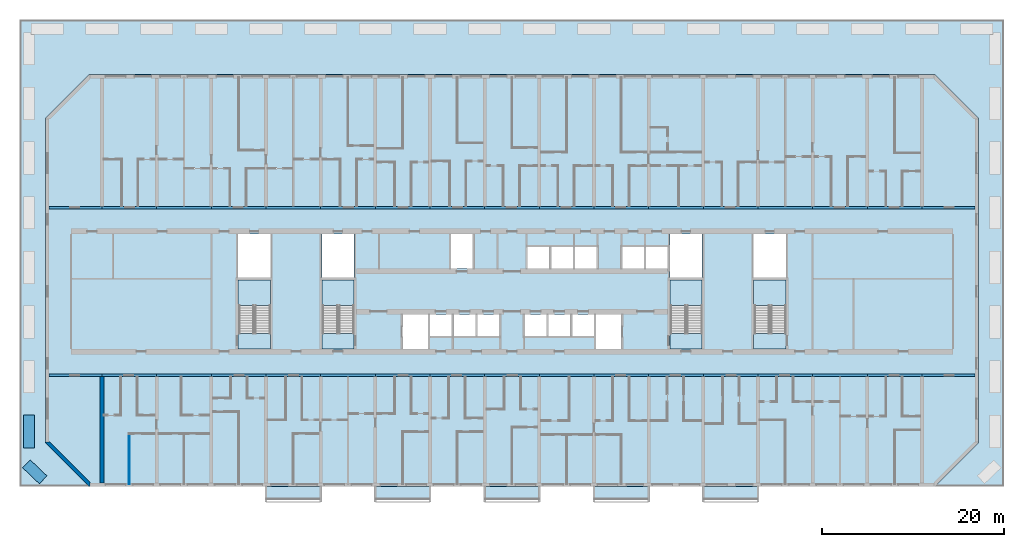
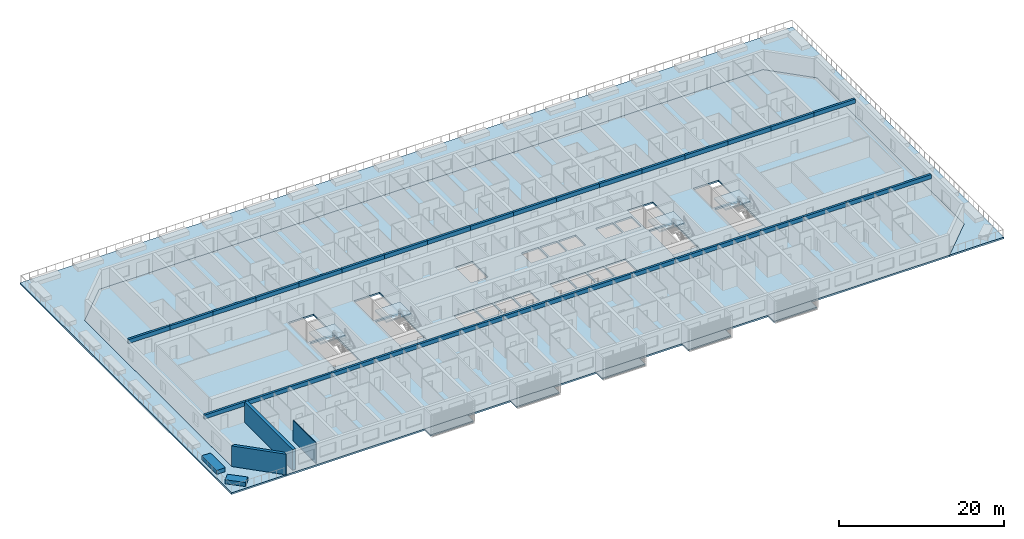
# One storey, part 1 of 23: 34 beams, 15 slabs, 5 walls, 4 elements without a shape of their own.
"""IFC4 building model written with IfcOpenShell, lengths in metres."""

from ifc_helpers import new_model, si_unit, direction, frame, frame_2d, origin, origin_2d, place, context, subcontext, project, spatial, polyline, rectangle, outline, extrude, source, transform, mapped, material, layer, layer_set, material_profile, profile_set, type_object, element, aggregate, save


model = new_model("IFC4")

# Units and contexts
model_context = context("Model", 3, precision=1e-05, world=origin(), true_north=direction((0.0, 1.0)))
body_context = subcontext(model_context, "Body", "Model", "MODEL_VIEW")
ifc_project = project(units=[si_unit("LENGTHUNIT", "METRE"), si_unit("AREAUNIT", "SQUARE_METRE"), si_unit("VOLUMEUNIT", "CUBIC_METRE"), si_unit("PLANEANGLEUNIT", "RADIAN"), si_unit("MASSUNIT", "GRAM", prefix="KILO")], contexts=[model_context])

# Site, building, storey
site_placement = place(None, origin())
site = spatial("IfcSite", under=ifc_project, at=site_placement, CompositionType="ELEMENT")
building_placement = place(site_placement, origin())
building = spatial("IfcBuilding", under=site, at=building_placement, Name="Poui Terraces", CompositionType="ELEMENT")
storey_placement = place(building_placement, frame((0.0, 0.0, 23.39990234375)))
storey = spatial("IfcBuildingStorey", under=building, at=storey_placement, Name="L05", CompositionType="ELEMENT", Elevation=23.39990234375)

# Beams
ifc_material_1 = material(Name="Concrete 80 MPa", Category="concrete")
ifc_material_profile = material_profile(ifc_material_1, rectangle(XDim=0.300048828125, YDim=0.60009765625, at=origin_2d()), Name="RC 300x600")
ifc_profile_set = profile_set([ifc_material_profile], Name="Concrete 80 MPa")
beam_type = type_object("IfcBeamType", Name="COUPLING BEAM 300x600 80MPa", PredefinedType="BEAM", material=ifc_profile_set)
shared_shape_1 = source(origin(), body_context, "Body", "SweptSolid", [
    extrude(rectangle(XDim=0.300048828125, YDim=0.60009765625, at=origin_2d()), origin(), (0.0, 0.0, 1.0), 6.0),
])
for number, where, z_axis, x_axis, name in (
    (1, (6.0, 12.0, 2.75), (1.0, 0.0, 0.0), (0.0, 1.0, 0.0), "COUPLING BEAM LINE B BAY 2"),
    (2, (12.0, 12.0, 2.75), (1.0, 0.0, 0.0), (0.0, 1.0, 0.0), "COUPLING BEAM LINE B BAY 3"),
    (3, (18.0, 12.0, 2.75), (1.0, 0.0, 0.0), (0.0, 1.0, 0.0), "COUPLING BEAM LINE B BAY 4"),
    (4, (24.0, 12.0, 2.75), (1.0, 0.0, 0.0), (0.0, 1.0, 0.0), "COUPLING BEAM LINE B BAY 5"),
    (5, (30.0, 12.0, 2.75), (1.0, 0.0, 0.0), (0.0, 1.0, 0.0), "COUPLING BEAM LINE B BAY 6"),
    (6, (36.0, 12.0, 2.75), (1.0, 0.0, 0.0), (0.0, 1.0, 0.0), "COUPLING BEAM LINE B BAY 7"),
    (7, (42.0, 12.0, 2.75), (1.0, 0.0, 0.0), (0.0, 1.0, 0.0), "COUPLING BEAM LINE B BAY 8"),
    (8, (48.0, 12.0, 2.75), (1.0, 0.0, 0.0), (0.0, 1.0, 0.0), "COUPLING BEAM LINE B BAY 9"),
    (9, (54.0, 12.0, 2.75), (1.0, 0.0, 0.0), (0.0, 1.0, 0.0), "COUPLING BEAM LINE B BAY 10"),
    (10, (60.0, 12.0, 2.75), (1.0, 0.0, 0.0), (0.0, 1.0, 0.0), "COUPLING BEAM LINE B BAY 11"),
    (11, (66.0, 12.0, 2.75), (1.0, 0.0, 0.0), (0.0, 1.0, 0.0), "COUPLING BEAM LINE B BAY 12"),
    (12, (72.0, 12.0, 2.75), (1.0, 0.0, 0.0), (0.0, 1.0, 0.0), "COUPLING BEAM LINE B BAY 13"),
    (13, (78.0, 12.0, 2.75), (1.0, 0.0, 0.0), (0.0, 1.0, 0.0), "COUPLING BEAM LINE B BAY 14"),
    (14, (84.0, 12.0, 2.75), (1.0, 0.0, 0.0), (0.0, 1.0, 0.0), "COUPLING BEAM LINE B BAY 15"),
    (15, (90.0, 12.0, 2.75), (1.0, 0.0, 0.0), (0.0, 1.0, 0.0), "COUPLING BEAM LINE B BAY 16"),
    (16, (6.0, 30.39990234375, 2.75), (1.0, 0.0, 0.0), (0.0, 1.0, 0.0), "COUPLING BEAM LINE E BAY 2"),
    (17, (12.0, 30.39990234375, 2.75), (1.0, 0.0, 0.0), (0.0, 1.0, 0.0), "COUPLING BEAM LINE E BAY 3"),
    (18, (18.0, 30.39990234375, 2.75), (1.0, 0.0, 0.0), (0.0, 1.0, 0.0), "COUPLING BEAM LINE E BAY 4"),
    (19, (24.0, 30.39990234375, 2.75), (1.0, 0.0, 0.0), (0.0, 1.0, 0.0), "COUPLING BEAM LINE E BAY 5"),
    (20, (30.0, 30.39990234375, 2.75), (1.0, 0.0, 0.0), (0.0, 1.0, 0.0), "COUPLING BEAM LINE E BAY 6"),
    (21, (36.0, 30.39990234375, 2.75), (1.0, 0.0, 0.0), (0.0, 1.0, 0.0), "COUPLING BEAM LINE E BAY 7"),
    (22, (42.0, 30.39990234375, 2.75), (1.0, 0.0, 0.0), (0.0, 1.0, 0.0), "COUPLING BEAM LINE E BAY 8"),
    (23, (48.0, 30.39990234375, 2.75), (1.0, 0.0, 0.0), (0.0, 1.0, 0.0), "COUPLING BEAM LINE E BAY 9"),
    (24, (54.0, 30.39990234375, 2.75), (1.0, 0.0, 0.0), (0.0, 1.0, 0.0), "COUPLING BEAM LINE E BAY 10"),
    (25, (60.0, 30.39990234375, 2.75), (1.0, 0.0, 0.0), (0.0, 1.0, 0.0), "COUPLING BEAM LINE E BAY 11"),
    (26, (66.0, 30.39990234375, 2.75), (1.0, 0.0, 0.0), (0.0, 1.0, 0.0), "COUPLING BEAM LINE E BAY 12"),
    (27, (72.0, 30.39990234375, 2.75), (1.0, 0.0, 0.0), (0.0, 1.0, 0.0), "COUPLING BEAM LINE E BAY 13"),
    (28, (78.0, 30.39990234375, 2.75), (1.0, 0.0, 0.0), (0.0, 1.0, 0.0), "COUPLING BEAM LINE E BAY 14"),
    (29, (84.0, 30.39990234375, 2.75), (1.0, 0.0, 0.0), (0.0, 1.0, 0.0), "COUPLING BEAM LINE E BAY 15"),
    (30, (90.0, 30.39990234375, 2.75), (1.0, 0.0, 0.0), (0.0, 1.0, 0.0), "COUPLING BEAM LINE E BAY 16"),
):
    element("IfcBeam", number, at=place(storey_placement, frame(where, z_axis=z_axis, x_axis=x_axis)), inside=storey, type_object=beam_type, Name=name, PredefinedType="BEAM", context=body_context, shape_type="MappedRepresentation", body=[
        mapped(shared_shape_1, transform((0.0, 0.0, 0.0))),
    ])
shared_shape_2 = source(origin(), body_context, "Body", "SweptSolid", [
    extrude(rectangle(XDim=0.300048828125, YDim=0.60009765625, at=origin_2d()), origin(), (0.0, 0.0, 1.0), 5.800048828125),
])
for number, where, z_axis, x_axis, name in (
    (31, (0.199951171875, 12.0, 2.75), (1.0, 0.0, 0.0), (0.0, 1.0, 0.0), "COUPLING BEAM LINE B BAY 1"),
    (32, (96.0, 12.0, 2.75), (1.0, 0.0, 0.0), (0.0, 1.0, 0.0), "COUPLING BEAM LINE B BAY 17"),
    (33, (0.199951171875, 30.39990234375, 2.75), (1.0, 0.0, 0.0), (0.0, 1.0, 0.0), "COUPLING BEAM LINE E BAY 1"),
    (34, (96.0, 30.39990234375, 2.75), (1.0, 0.0, 0.0), (0.0, 1.0, 0.0), "COUPLING BEAM LINE E BAY 17"),
):
    element("IfcBeam", number, at=place(storey_placement, frame(where, z_axis=z_axis, x_axis=x_axis)), inside=storey, type_object=beam_type, Name=name, PredefinedType="BEAM", context=body_context, shape_type="MappedRepresentation", body=[
        mapped(shared_shape_2, transform((0.0, 0.0, 0.0))),
    ])

# Stair, slabs
stair_type = type_object("IfcStairType", Name="EXIT STAIR 1650 80 MPA", PredefinedType="HALF_TURN_STAIR", material=ifc_material_1)
stair_1_placement = place(storey_placement, origin())
stair_1 = element("IfcStair", 35, at=stair_1_placement, inside=storey, type_object=stair_type, Name="L05 CORE STAIR EAST", PredefinedType="HALF_TURN_STAIR")
ifc_layer_1 = layer(ifc_material_1, 0.199951171875)
ifc_layer_set_1 = layer_set([ifc_layer_1], Name="Concrete 80 MPa")
slab_type_1 = type_object("IfcSlabType", Name="STAIR LANDING 200 80 MPA", PredefinedType="LANDING", material=ifc_layer_set_1)
slab_1_placement = place(storey_placement, frame((0.0, 0.0, 1.449951171875)))
slab_1 = element("IfcSlab", 36, at=slab_1_placement, type_object=slab_type_1, Name="ST-CE landing 1", PredefinedType="LANDING", context=body_context, shape_type="SweptSolid", body=[
    extrude(outline(polyline([(68.324951171875, 19.679931640625), (71.875, 19.679931640625), (71.875, 22.47509765625), (68.324951171875, 22.47509765625), (68.324951171875, 19.679931640625)])), origin(), (0.0, 0.0, 1.0), 0.2001953125),
])
slab_2_placement = place(storey_placement, frame((0.0, 0.0, -0.199951171875)))
slab_2 = element("IfcSlab", 37, at=slab_2_placement, type_object=slab_type_1, Name="ST-CE landing 2", PredefinedType="LANDING", context=body_context, shape_type="SweptSolid", body=[
    extrude(outline(polyline([(68.324951171875, 14.89990234375), (71.875, 14.89990234375), (71.875, 16.60009765625), (68.324951171875, 16.60009765625), (68.324951171875, 14.89990234375)])), origin(), (0.0, 0.0, 1.0), 0.199951171875),
])
aggregate(stair_1, [slab_1, slab_2])

stair_2_placement = place(storey_placement, origin())
stair_2 = element("IfcStair", 38, at=stair_2_placement, inside=storey, type_object=stair_type, Name="L05 CORE STAIR WEST", PredefinedType="HALF_TURN_STAIR")
slab_3_placement = place(storey_placement, frame((0.0, 0.0, 1.449951171875)))
slab_3 = element("IfcSlab", 39, at=slab_3_placement, type_object=slab_type_1, Name="ST-CW landing 1", PredefinedType="LANDING", context=body_context, shape_type="SweptSolid", body=[
    extrude(outline(polyline([(30.125, 19.679931640625), (33.675048828125, 19.679931640625), (33.675048828125, 22.47509765625), (30.125, 22.47509765625), (30.125, 19.679931640625)])), origin(), (0.0, 0.0, 1.0), 0.2001953125),
])
slab_4_placement = place(storey_placement, frame((0.0, 0.0, -0.199951171875)))
slab_4 = element("IfcSlab", 40, at=slab_4_placement, type_object=slab_type_1, Name="ST-CW landing 2", PredefinedType="LANDING", context=body_context, shape_type="SweptSolid", body=[
    extrude(outline(polyline([(30.125, 14.89990234375), (33.675048828125, 14.89990234375), (33.675048828125, 16.60009765625), (30.125, 16.60009765625), (30.125, 14.89990234375)])), origin(), (0.0, 0.0, 1.0), 0.199951171875),
])
aggregate(stair_2, [slab_3, slab_4])

stair_3_placement = place(storey_placement, origin())
stair_3 = element("IfcStair", 41, at=stair_3_placement, inside=storey, type_object=stair_type, Name="L05 TIP STAIR EAST", PredefinedType="HALF_TURN_STAIR")
slab_5_placement = place(storey_placement, frame((0.0, 0.0, 1.449951171875)))
slab_5 = element("IfcSlab", 42, at=slab_5_placement, type_object=slab_type_1, Name="ST-E landing 1", PredefinedType="LANDING", context=body_context, shape_type="SweptSolid", body=[
    extrude(outline(polyline([(77.52490234375, 19.679931640625), (81.074951171875, 19.679931640625), (81.074951171875, 22.47509765625), (77.52490234375, 22.47509765625), (77.52490234375, 19.679931640625)])), origin(), (0.0, 0.0, 1.0), 0.2001953125),
])
slab_6_placement = place(storey_placement, frame((0.0, 0.0, -0.199951171875)))
slab_6 = element("IfcSlab", 43, at=slab_6_placement, type_object=slab_type_1, Name="ST-E landing 2", PredefinedType="LANDING", context=body_context, shape_type="SweptSolid", body=[
    extrude(outline(polyline([(77.52490234375, 14.89990234375), (81.074951171875, 14.89990234375), (81.074951171875, 16.60009765625), (77.52490234375, 16.60009765625), (77.52490234375, 14.89990234375)])), origin(), (0.0, 0.0, 1.0), 0.199951171875),
])
aggregate(stair_3, [slab_5, slab_6])

stair_4_placement = place(storey_placement, origin())
stair_4 = element("IfcStair", 44, at=stair_4_placement, inside=storey, type_object=stair_type, Name="L05 TIP STAIR WEST", PredefinedType="HALF_TURN_STAIR")
slab_7_placement = place(storey_placement, frame((0.0, 0.0, 1.449951171875)))
slab_7 = element("IfcSlab", 45, at=slab_7_placement, type_object=slab_type_1, Name="ST-W landing 1", PredefinedType="LANDING", context=body_context, shape_type="SweptSolid", body=[
    extrude(outline(polyline([(20.925048828125, 19.679931640625), (24.47509765625, 19.679931640625), (24.47509765625, 22.47509765625), (20.925048828125, 22.47509765625), (20.925048828125, 19.679931640625)])), origin(), (0.0, 0.0, 1.0), 0.2001953125),
])
slab_8_placement = place(storey_placement, frame((0.0, 0.0, -0.199951171875)))
slab_8 = element("IfcSlab", 46, at=slab_8_placement, type_object=slab_type_1, Name="ST-W landing 2", PredefinedType="LANDING", context=body_context, shape_type="SweptSolid", body=[
    extrude(outline(polyline([(20.925048828125, 14.89990234375), (24.47509765625, 14.89990234375), (24.47509765625, 16.60009765625), (20.925048828125, 16.60009765625), (20.925048828125, 14.89990234375)])), origin(), (0.0, 0.0, 1.0), 0.199951171875),
])
aggregate(stair_4, [slab_7, slab_8])

# Slabs
ifc_material_2 = material(Name="Concrete 40 MPa", Category="concrete")
ifc_layer_2 = layer(ifc_material_2, 0.25)
ifc_layer_set_2 = layer_set([ifc_layer_2], Name="Concrete 40 MPa")
slab_type_2 = type_object("IfcSlabType", Name="FLOOR SLAB 250", PredefinedType="FLOOR", material=ifc_layer_set_2)
shared_shape_3 = source(origin(), body_context, "Body", "SweptSolid", [
    extrude(outline(polyline([(0.0, 0.0), (4.800048828125, -4.800048828125), (97.599853515625, -4.800048828125), (102.39990234375, 0.0), (102.39990234375, 35.599853515625), (97.599853515625, 40.39990234375), (4.800048828125, 40.39990234375), (0.0, 35.599853515625), (0.0, 0.0)]), holes=[polyline([(39.199951171875, 10.2998046875), (39.199951171875, 14.099853515625), (42.0, 14.099853515625), (42.0, 10.2998046875), (39.199951171875, 10.2998046875)]), polyline([(42.199951171875, 11.699951171875), (42.199951171875, 14.099853515625), (44.599853515625, 14.099853515625), (44.599853515625, 11.699951171875), (42.199951171875, 11.699951171875)]), polyline([(44.800048828125, 11.699951171875), (44.800048828125, 14.099853515625), (47.199951171875, 14.099853515625), (47.199951171875, 11.699951171875), (44.800048828125, 11.699951171875)]), polyline([(47.39990234375, 14.099853515625), (49.800048828125, 14.099853515625), (49.800048828125, 11.699951171875), (47.39990234375, 11.699951171875), (47.39990234375, 14.099853515625)]), polyline([(52.599853515625, 14.099853515625), (55.0, 14.099853515625), (55.0, 11.699951171875), (52.599853515625, 11.699951171875), (52.599853515625, 14.099853515625)]), polyline([(21.224853515625, 17.849853515625), (24.675048828125, 17.849853515625), (24.675048828125, 12.0), (24.675048828125, 10.2998046875), (21.125, 10.2998046875), (21.125, 12.0), (21.224853515625, 12.0), (21.224853515625, 17.849853515625)]), polyline([(33.875, 17.849853515625), (33.875, 12.0), (33.875, 10.2998046875), (30.324951171875, 10.2998046875), (30.324951171875, 12.0), (30.425048828125, 12.0), (30.425048828125, 17.849853515625), (33.875, 17.849853515625)]), polyline([(52.89990234375, 21.5), (55.300048828125, 21.5), (55.300048828125, 19.099853515625), (52.89990234375, 19.099853515625), (52.89990234375, 21.5)]), polyline([(21.125, 18.125), (21.125, 22.89990234375), (24.675048828125, 22.89990234375), (24.675048828125, 18.125), (21.125, 18.125)]), polyline([(30.324951171875, 22.89990234375), (33.875, 22.89990234375), (33.875, 18.125), (30.324951171875, 18.125), (30.324951171875, 22.89990234375)]), polyline([(44.5, 22.89990234375), (46.89990234375, 22.89990234375), (46.89990234375, 19.099853515625), (44.5, 19.099853515625), (44.5, 22.89990234375)]), polyline([(60.39990234375, 10.2998046875), (60.39990234375, 14.099853515625), (63.199951171875, 14.099853515625), (63.199951171875, 10.2998046875), (60.39990234375, 10.2998046875)]), polyline([(55.199951171875, 11.699951171875), (55.199951171875, 14.099853515625), (57.599853515625, 14.099853515625), (57.599853515625, 11.699951171875), (55.199951171875, 11.699951171875)]), polyline([(57.800048828125, 11.699951171875), (57.800048828125, 14.099853515625), (60.199951171875, 14.099853515625), (60.199951171875, 11.699951171875), (57.800048828125, 11.699951171875)]), polyline([(72.074951171875, 17.849853515625), (72.074951171875, 12.0), (72.074951171875, 10.2998046875), (68.52490234375, 10.2998046875), (68.52490234375, 12.0), (68.625, 12.0), (68.625, 17.849853515625), (72.074951171875, 17.849853515625)]), polyline([(81.27490234375, 17.849853515625), (81.27490234375, 12.0), (81.27490234375, 10.2998046875), (77.724853515625, 10.2998046875), (77.724853515625, 12.0), (77.824951171875, 12.0), (77.824951171875, 17.849853515625), (81.27490234375, 17.849853515625)]), polyline([(55.5, 19.099853515625), (55.5, 21.5), (57.89990234375, 21.5), (57.89990234375, 19.099853515625), (55.5, 19.099853515625)]), polyline([(58.099853515625, 21.5), (60.5, 21.5), (60.5, 19.099853515625), (58.099853515625, 19.099853515625), (58.099853515625, 21.5)]), polyline([(63.300048828125, 21.5), (65.699951171875, 21.5), (65.699951171875, 19.099853515625), (63.300048828125, 19.099853515625), (63.300048828125, 21.5)]), polyline([(65.89990234375, 19.099853515625), (65.89990234375, 21.5), (68.300048828125, 21.5), (68.300048828125, 19.099853515625), (65.89990234375, 19.099853515625)]), polyline([(68.52490234375, 22.89990234375), (72.074951171875, 22.89990234375), (72.074951171875, 18.125), (68.52490234375, 18.125), (68.52490234375, 22.89990234375)]), polyline([(77.724853515625, 22.89990234375), (81.27490234375, 22.89990234375), (81.27490234375, 18.125), (77.724853515625, 18.125), (77.724853515625, 22.89990234375)])]), origin(), (0.0, 0.0, 1.0), 0.25),
])
slab_9_placement = place(storey_placement, frame((-0.199951171875, 4.60009765625, -0.25)))
element("IfcSlab", 47, at=slab_9_placement, inside=storey, type_object=slab_type_2, Name="FLOOR SLAB", PredefinedType="FLOOR", context=body_context, shape_type="MappedRepresentation", body=[
    mapped(shared_shape_3, transform((0.0, 0.0, 0.0))),
])
ifc_layer_3 = layer(ifc_material_2, 0.25)
ifc_layer_set_3 = layer_set([ifc_layer_3], Name="Concrete 40 MPa")
slab_type_3 = type_object("IfcSlabType", Name="TERRACE SLAB 250", PredefinedType="FLOOR", material=ifc_layer_set_3)
shared_shape_4 = source(origin(), body_context, "Body", "SweptSolid", [
    extrude(outline(polyline([(0.0, 0.0), (7.60009765625, 0.0), (2.800048828125, 4.800048828125), (2.800048828125, 40.39990234375), (7.60009765625, 45.199951171875), (100.39990234375, 45.199951171875), (105.199951171875, 40.39990234375), (105.199951171875, 4.800048828125), (100.39990234375, 0.0), (108.0, 0.0), (108.0, 51.199951171875), (0.0, 51.199951171875), (0.0, 0.0)])), origin(), (0.0, 0.0, 1.0), 0.25),
])
slab_10_placement = place(storey_placement, frame((-3.0, -0.199951171875, -0.25)))
element("IfcSlab", 48, at=slab_10_placement, inside=storey, type_object=slab_type_3, Name="TERRACE SLAB", PredefinedType="FLOOR", context=body_context, shape_type="MappedRepresentation", body=[
    mapped(shared_shape_4, transform((0.0, 0.0, 0.0))),
])
ifc_material_3 = material(Name="Precast concrete 40 MPa", Category="concrete")
ifc_layer_4 = layer(ifc_material_3, 0.199951171875)
ifc_layer_set_4 = layer_set([ifc_layer_4], Name="Precast concrete 40 MPa")
slab_type_4 = type_object("IfcSlabType", Name="REAR BALCONY SLAB 200", PredefinedType="FLOOR", material=ifc_layer_set_4)
shared_shape_5 = source(origin(), body_context, "Body", "SweptSolid", [
    extrude(outline(polyline([(0.0, 0.0), (6.0, 0.0), (6.0, 1.5), (0.0, 1.5), (0.0, 0.0)])), origin(), (0.0, 0.0, 1.0), 0.199951171875),
])
for number, where, name in (
    (49, (24.0, -1.699951171875, -0.199951171875), "REAR BALCONY SLAB"),
    (50, (36.0, -1.699951171875, -0.199951171875), "REAR BALCONY SLAB"),
    (51, (48.0, -1.699951171875, -0.199951171875), "REAR BALCONY SLAB"),
    (52, (60.0, -1.699951171875, -0.199951171875), "REAR BALCONY SLAB"),
    (53, (72.0, -1.699951171875, -0.199951171875), "REAR BALCONY SLAB"),
):
    element("IfcSlab", number, at=place(storey_placement, frame(where)), inside=storey, type_object=slab_type_4, Name=name, PredefinedType="FLOOR", context=body_context, shape_type="MappedRepresentation", body=[
        mapped(shared_shape_5, transform((0.0, 0.0, 0.0))),
    ])

# Walls
ifc_layer_5 = layer(ifc_material_1, 0.39990234375)
ifc_layer_set_5 = layer_set([ifc_layer_5], Name="Concrete 80 MPa")
wall_type_1 = type_object("IfcWallType", Name="CROSS WALL 400 80MPa", PredefinedType="SHEAR", material=ifc_layer_set_5)
wall_1_placement = place(storey_placement, frame((6.0, 0.199951171875, 0.0), z_axis=(0.0, 0.0, 1.0), x_axis=(0.0, 1.0, 0.0)))
element("IfcWall", 54, at=wall_1_placement, inside=storey, type_object=wall_type_1, Name="CROSS WALL LINE 2 SOUTH", PredefinedType="SHEAR", context=body_context, shape_type="SweptSolid", body=[
    extrude(rectangle(XDim=11.650146484375, YDim=0.39990234375, at=frame_2d((5.8251953125, 0.0))), origin(), (0.0, 0.0, 1.0), 3.050048828125),
])
ifc_material_4 = material(Name="Plasterboard partition")
ifc_layer_6 = layer(ifc_material_4, 0.10009765625)
ifc_layer_set_6 = layer_set([ifc_layer_6], Name="Plasterboard partition")
wall_type_2 = type_object("IfcWallType", Name="FLAT PARTITION 100", PredefinedType="PARTITIONING", material=ifc_layer_set_6)
wall_2_placement = place(storey_placement, frame((9.0, 0.06005859375, 0.0), z_axis=(0.0, 0.0, 1.0), x_axis=(0.0, 1.0, 0.0)))
element("IfcWall", 55, at=wall_2_placement, inside=storey, type_object=wall_type_2, Name="FLAT PARTITION 100", PredefinedType="PARTITIONING", context=body_context, shape_type="SweptSolid", body=[
    extrude(rectangle(XDim=5.489990234375, YDim=0.10009765625, at=frame_2d((2.7451171875, 0.0))), origin(), (0.0, 0.0, 1.0), 3.050048828125),
])
ifc_layer_7 = layer(ifc_material_3, 0.39990234375)
ifc_layer_set_7 = layer_set([ifc_layer_7], Name="Precast concrete 40 MPa")
wall_type_3 = type_object("IfcWallType", Name="TERRACOTTA CLAD CHAMFER WALL 400", PredefinedType="STANDARD", material=ifc_layer_set_7)
wall_3_placement = place(storey_placement, origin())
element("IfcWall", 56, at=wall_3_placement, inside=storey, type_object=wall_type_3, Name="CHAMFER WALL CH07", PredefinedType="STANDARD", context=body_context, shape_type="SweptSolid", body=[
    extrude(outline(polyline([(-0.199951171875, 4.682861328125), (-0.199951171875, 4.60009765625), (4.60009765625, -0.199951171875), (4.682861328125, -0.199951171875), (4.682861328125, 0.28271484375), (0.28271484375, 4.682861328125), (-0.199951171875, 4.682861328125)])), origin(), (0.0, 0.0, 1.0), 3.050048828125),
])
ifc_layer_8 = layer(ifc_material_3, 1.199951171875)
ifc_layer_set_8 = layer_set([ifc_layer_8], Name="Precast concrete 40 MPa")
wall_type_4 = type_object("IfcWallType", Name="PLANTER 600", PredefinedType="USERDEFINED", material=ifc_layer_set_8)
shared_shape_6 = source(origin(), body_context, "Body", "SweptSolid", [
    extrude(outline(polyline([(0.0, 0.0), (1.2001953125, 0.0), (1.2001953125, 3.599853515625), (0.0, 3.599853515625), (0.0, 0.0)])), origin(), (0.0, 0.0, 1.0), 0.60009765625),
])
wall_4_placement = place(storey_placement, frame((-2.6201171875, 4.0400390625, 0.0)))
element("IfcWall", 57, at=wall_4_placement, inside=storey, type_object=wall_type_4, Name="PLANTER", ObjectType="PLANTER", PredefinedType="USERDEFINED", context=body_context, shape_type="MappedRepresentation", body=[
    mapped(shared_shape_6, transform((0.0, 0.0, 0.0))),
])
shared_shape_7 = source(origin(), body_context, "Body", "SweptSolid", [
    extrude(outline(polyline([(0.0, 0.0), (1.840087890625, -1.760009765625), (2.66943359375, -0.892578125), (0.829345703125, 0.867431640625), (0.0, 0.0)])), origin(), (0.0, 0.0, 1.0), 0.60009765625),
])
wall_5_placement = place(storey_placement, frame((-2.712646484375, 1.856689453125, 0.0)))
element("IfcWall", 58, at=wall_5_placement, inside=storey, type_object=wall_type_4, Name="PLANTER", ObjectType="PLANTER", PredefinedType="USERDEFINED", context=body_context, shape_type="MappedRepresentation", body=[
    mapped(shared_shape_7, transform((0.0, 0.0, 0.0))),
])

save(model, "model.ifc")
